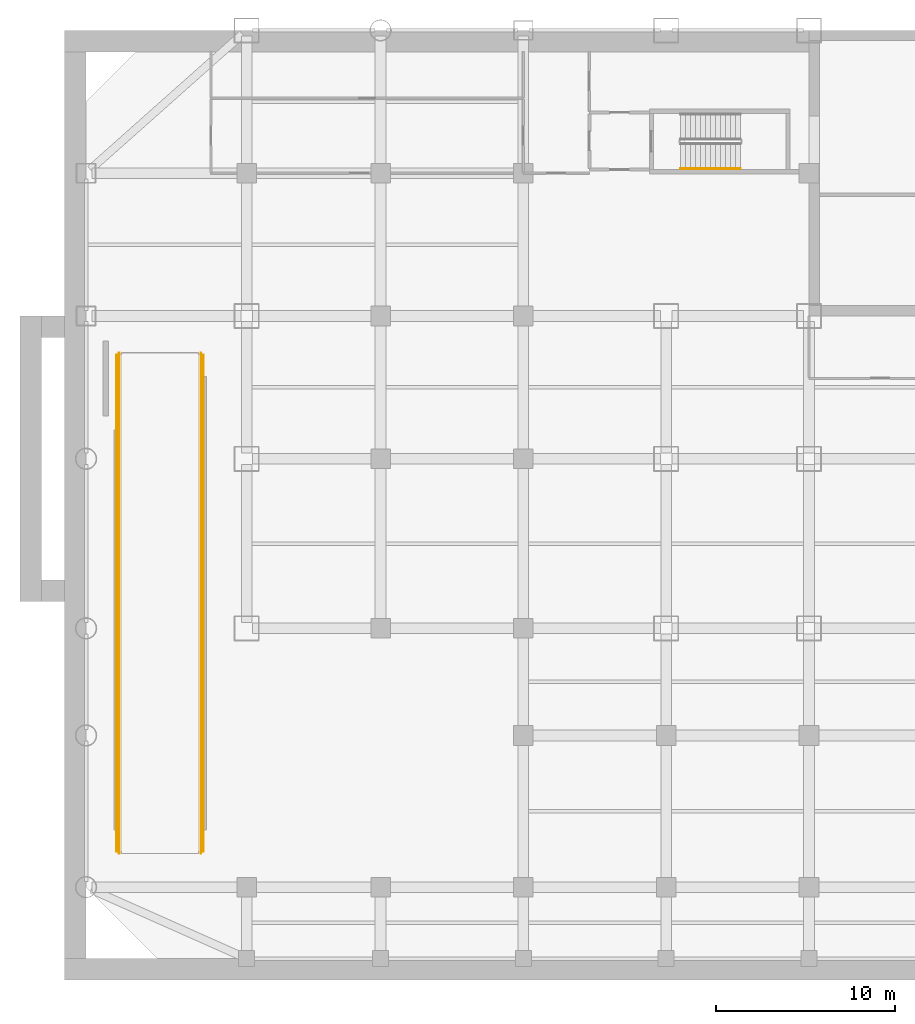
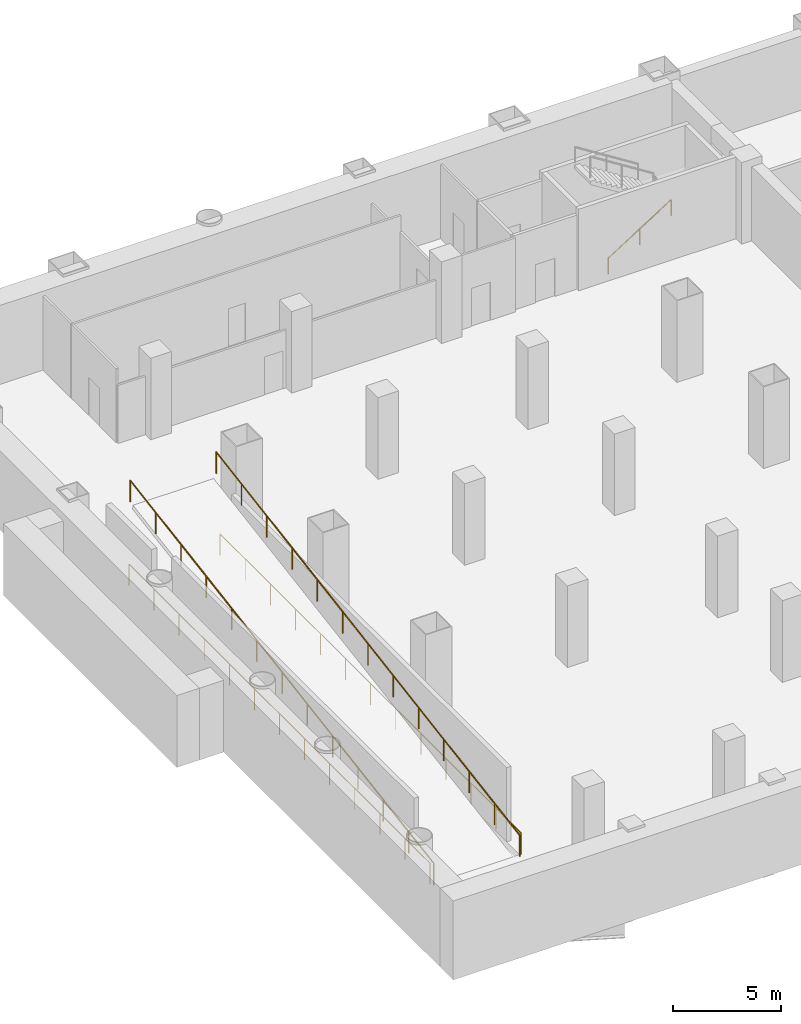
# One storey, part 6 of 8: 5 railings.
"""IFC4 building model written with IfcOpenShell, lengths in metres."""

import ifcopenshell
import ifcopenshell.guid

model = None  # the IFC model being written
_history = None  # IfcOwnerHistory: only IFC2X3 demands one
_inside = {}  # id of a spatial element -> (the spatial element, [elements in it])
_under = {}  # id of a project, library or spatial element -> (it, [spatial elements below it])
_declared = {}  # id of a project -> (the project, [libraries it declares])
_typed = {}  # id of a type object -> (the type object, [elements of that type])
_made_of = {}  # id of a material, layer set ... -> (it, [elements and type objects made of it])


def new_model(schema):
    """Start an empty IFC model of exactly this schema.

    Asked for "IFC4X3", IfcOpenShell would pick the latest addendum, in which some entities
    have other attributes; the version numbers below select the first issue.
    IFC2X3 requires an IfcOwnerHistory on every rooted entity: one is made here for all.
    """
    global model, _history
    if schema == "IFC4X3":
        model = ifcopenshell.file(schema_version=(4, 3, 0, 0))
    else:
        model = ifcopenshell.file(schema=schema)
    _inside.clear()
    _under.clear()
    _declared.clear()
    _typed.clear()
    _made_of.clear()
    _history = None
    if model.schema == "IFC2X3":
        org = make("IfcOrganization", Name="unknown")
        user = make(
            "IfcPersonAndOrganization",
            ThePerson=make("IfcPerson", FamilyName="unknown"),
            TheOrganization=org,
        )
        app = make(
            "IfcApplication",
            ApplicationDeveloper=org,
            Version="unknown",
            ApplicationFullName="unknown",
            ApplicationIdentifier="unknown",
        )
        _history = make(
            "IfcOwnerHistory",
            OwningUser=user,
            OwningApplication=app,
            ChangeAction="ADDED",
            CreationDate=0,
        )
    return model


def make(cls, **values):
    """One entity of the class cls with the attributes given. An attribute that is None is left unset."""
    return model.create_entity(
        cls, **{name: value for name, value in values.items() if value is not None}
    )


def rooted(cls, **values):
    """An entity with a GlobalId (a new one), such as an element, a storey or a relation."""
    return make(cls, GlobalId=ifcopenshell.guid.new(), OwnerHistory=_history, **values)


def si_unit(unit_type, name, prefix=None):
    """IfcSIUnit, for example si_unit("LENGTHUNIT", "METRE", prefix="MILLI")."""
    return make("IfcSIUnit", UnitType=unit_type, Prefix=prefix, Name=name)


def assignment(units):
    """IfcUnitAssignment: the units of a project."""
    return None if units is None else make("IfcUnitAssignment", Units=units)


def point(xyz):
    """IfcCartesianPoint."""
    return None if xyz is None else make("IfcCartesianPoint", Coordinates=xyz)


def direction(xyz):
    """IfcDirection."""
    return None if xyz is None else make("IfcDirection", DirectionRatios=xyz)


def frame(location, z_axis=None, x_axis=None):
    """IfcAxis2Placement3D, a coordinate frame: its origin and axes. An axis left out is left unset."""
    return make(
        "IfcAxis2Placement3D",
        Location=point(location),
        Axis=direction(z_axis),
        RefDirection=direction(x_axis),
    )


def frame_2d(location, x_axis=None):
    """IfcAxis2Placement2D, a coordinate frame in the plane: its origin and x axis."""
    return make(
        "IfcAxis2Placement2D", Location=point(location), RefDirection=direction(x_axis)
    )


def origin():
    """The frame at (0, 0, 0) with its axes left unset."""
    return frame((0.0, 0.0, 0.0))


def origin_2d():
    """The frame at (0, 0) in the plane with its x axis left unset."""
    return frame_2d((0.0, 0.0))


def place(relative_to, where):
    """IfcLocalPlacement: puts the frame where relative to a parent placement (None: the world)."""
    return make(
        "IfcLocalPlacement", PlacementRelTo=relative_to, RelativePlacement=where
    )


def context(
    kind, dimensions, precision=None, world=None, true_north=None, identifier=None
):
    """IfcGeometricRepresentationContext, for example the 3D "Model" context."""
    return make(
        "IfcGeometricRepresentationContext",
        ContextIdentifier=identifier,
        ContextType=kind,
        CoordinateSpaceDimension=dimensions,
        Precision=precision,
        WorldCoordinateSystem=world,
        TrueNorth=true_north,
    )


def subcontext(parent, identifier, kind, view, scale=None):
    """IfcGeometricRepresentationSubContext, for example "Body" below "Model"."""
    return make(
        "IfcGeometricRepresentationSubContext",
        ContextIdentifier=identifier,
        ContextType=kind,
        ParentContext=parent,
        TargetScale=scale,
        TargetView=view,
    )


def project(units=None, contexts=None):
    """IfcProject with its units and contexts."""
    return rooted(
        "IfcProject",
        Name="project",
        RepresentationContexts=contexts,
        UnitsInContext=assignment(units),
    )


def spatial(cls, under=None, at=None, **own):
    """A site, building, storey or space (cls), placed at a placement, below another one or the project."""
    s = rooted(cls, ObjectPlacement=at, **own)
    if under is not None:
        _under.setdefault(under.id(), (under, []))[1].append(s)
    return s


def profile(cls, at=None, kind="AREA", **sizes):
    """A parametric profile (cls). Its sizes go by their IFC names, for example OverallWidth=200.0."""
    return make(cls, ProfileType=kind, Position=at, **sizes)


def circle(**sizes):
    """IfcCircleProfileDef."""
    return profile("IfcCircleProfileDef", **sizes)


def extrude(swept, where, along, depth):
    """IfcExtrudedAreaSolid: the profile swept, set in the frame where, extruded along a direction by depth."""
    return make(
        "IfcExtrudedAreaSolid",
        SweptArea=swept,
        Position=where,
        ExtrudedDirection=direction(along),
        Depth=depth,
    )


def shape(context_of_items, identifier, shape_type, items):
    """IfcShapeRepresentation: the items that make up one representation, for example the "Body"."""
    return make(
        "IfcShapeRepresentation",
        ContextOfItems=context_of_items,
        RepresentationIdentifier=identifier,
        RepresentationType=shape_type,
        Items=items,
    )


def material(Name=None, Category=None):
    """IfcMaterial."""
    return make("IfcMaterial", Name=Name, Category=Category)


def made_of(thing, what):
    """Note that an element or type object is made of a material, layer set ...; save() writes the relation."""
    if what is not None:
        _made_of.setdefault(what.id(), (what, []))[1].append(thing)
    return thing


def type_object(cls, material=None, **own):
    """A type object (cls), such as IfcWallType, which elements share."""
    return made_of(rooted(cls, **own), material)


def element(
    cls,
    number,
    at=None,
    inside=None,
    cuts=None,
    type_object=None,
    material=None,
    context=None,
    identifier="Body",
    shape_type=None,
    held_by="IfcProductDefinitionShape",
    body=None,
    shapes=None,
    **own,
):
    """One element of the class cls, such as IfcWall. Its Tag is "e" and its number.

    at: its placement. inside: the storey or other place that contains it. cuts: it is an
    opening in that element (IfcRelVoidsElement). A single representation is given by context,
    identifier, shape_type and body (its items); several are given by shapes. held_by: the class
    of the entity that holds the representations. save() writes the other relations.
    """
    e = rooted(cls, Tag="e%d" % number, ObjectPlacement=at, **own)
    if body is not None:
        shapes = [shape(context, identifier, shape_type, body)]
    if shapes is not None:
        e.Representation = make(held_by, Representations=shapes)
    if inside is not None:
        _inside.setdefault(inside.id(), (inside, []))[1].append(e)
    if cuts is not None:
        rooted(
            "IfcRelVoidsElement", RelatingBuildingElement=cuts, RelatedOpeningElement=e
        )
    if type_object is not None:
        _typed.setdefault(type_object.id(), (type_object, []))[1].append(e)
    return made_of(e, material)


def aggregate(whole, parts):
    """IfcRelAggregates: a whole, such as a stair, and the parts it consists of."""
    return rooted("IfcRelAggregates", RelatingObject=whole, RelatedObjects=parts)


def save(model, path):
    """Write the relations noted so far, then the file.

    IfcRelAggregates (storeys below a building ...), IfcRelContainedInSpatialStructure (elements
    in a storey), IfcRelDefinesByType, IfcRelAssociatesMaterial and IfcRelDeclares: one each for
    every whole, place, type object, material and project.
    """
    for whole, parts in _under.values():
        aggregate(whole, parts)
    for where, things in _inside.values():
        rooted(
            "IfcRelContainedInSpatialStructure",
            RelatedElements=things,
            RelatingStructure=where,
        )
    for kind, things in _typed.values():
        rooted("IfcRelDefinesByType", RelatedObjects=things, RelatingType=kind)
    for what, things in _made_of.values():
        rooted("IfcRelAssociatesMaterial", RelatedObjects=things, RelatingMaterial=what)
    for by, libraries in _declared.values():
        rooted("IfcRelDeclares", RelatingContext=by, RelatedDefinitions=libraries)
    model.write(path)


model = new_model("IFC4")

# Units and contexts
model_context = context("Model", 3, precision=1e-05, world=origin(), true_north=direction((0.0, 1.0)))
body_context = subcontext(model_context, "Body", "Model", "MODEL_VIEW")
ifc_project = project(units=[si_unit("LENGTHUNIT", "METRE"), si_unit("AREAUNIT", "SQUARE_METRE"), si_unit("VOLUMEUNIT", "CUBIC_METRE"), si_unit("PLANEANGLEUNIT", "RADIAN"), si_unit("MASSUNIT", "GRAM", prefix="KILO")], contexts=[model_context])

# Site, building, storey
site_placement = place(None, origin())
site = spatial("IfcSite", under=ifc_project, at=site_placement, CompositionType="ELEMENT")
building_placement = place(site_placement, origin())
building = spatial("IfcBuilding", under=site, at=building_placement, Name="Qianrong Seaharbour Tower", CompositionType="ELEMENT")
storey_placement = place(building_placement, frame((0.0, 0.0, -4.60009765625)))
storey = spatial("IfcBuildingStorey", under=building, at=storey_placement, Name="B01", CompositionType="ELEMENT", Elevation=-4.60009765625)

# Railings
ifc_material_1 = material(Name="Galvanized painted steel SN400B stair guard", Category="steel")
railing_type_1 = type_object("IfcRailingType", Name="RAIL-STAIR-GUARD-1220", PredefinedType="GUARDRAIL", material=ifc_material_1)
for number, where, name in (
    (1, (6.580078125, 6.0, 0.0), "B01 Car Park Ramp Well East Safety Guard"),
    (2, (1.719970703125, 6.0, 0.0), "B01 Car Park Ramp Well West Safety Guard"),
):
    element("IfcRailing", number, at=place(storey_placement, frame(where)), inside=storey, type_object=railing_type_1, Name=name, PredefinedType="GUARDRAIL", context=body_context, shape_type="SweptSolid", body=[
        extrude(circle(Radius=0.02392578125, at=origin_2d()), frame((0.0, 0.0, 1.19580078125), z_axis=(0.0, 1.0, 0.0), x_axis=(-1.0, 0.0, 0.0)), (0.0, 0.0, 1.0), 27.800048828125),
        extrude(circle(Radius=0.02099609375, at=origin_2d()), origin(), (0.0, 0.0, 1.0), 1.171875),
        extrude(circle(Radius=0.02099609375, at=origin_2d()), frame((0.0, 2.316650390625, 0.0)), (0.0, 0.0, 1.0), 1.171875),
        extrude(circle(Radius=0.02099609375, at=origin_2d()), frame((0.0, 4.63330078125, 0.0)), (0.0, 0.0, 1.0), 1.171875),
        extrude(circle(Radius=0.02099609375, at=origin_2d()), frame((0.0, 6.949951171875, 0.0)), (0.0, 0.0, 1.0), 1.171875),
        extrude(circle(Radius=0.02099609375, at=origin_2d()), frame((0.0, 9.2666015625, 0.0)), (0.0, 0.0, 1.0), 1.171875),
        extrude(circle(Radius=0.02099609375, at=origin_2d()), frame((0.0, 11.583251953125, 0.0)), (0.0, 0.0, 1.0), 1.171875),
        extrude(circle(Radius=0.02099609375, at=origin_2d()), frame((0.0, 13.89990234375, 0.0)), (0.0, 0.0, 1.0), 1.171875),
        extrude(circle(Radius=0.02099609375, at=origin_2d()), frame((0.0, 16.216796875, 0.0)), (0.0, 0.0, 1.0), 1.171875),
        extrude(circle(Radius=0.02099609375, at=origin_2d()), frame((0.0, 18.533447265625, 0.0)), (0.0, 0.0, 1.0), 1.171875),
        extrude(circle(Radius=0.02099609375, at=origin_2d()), frame((0.0, 20.85009765625, 0.0)), (0.0, 0.0, 1.0), 1.171875),
        extrude(circle(Radius=0.02099609375, at=origin_2d()), frame((0.0, 23.166748046875, 0.0)), (0.0, 0.0, 1.0), 1.171875),
        extrude(circle(Radius=0.02099609375, at=origin_2d()), frame((0.0, 25.4833984375, 0.0)), (0.0, 0.0, 1.0), 1.171875),
        extrude(circle(Radius=0.02099609375, at=origin_2d()), frame((0.0, 27.800048828125, 0.0)), (0.0, 0.0, 1.0), 1.171875),
    ])
railing_1_placement = place(storey_placement, frame((1.860107421875, 5.8798828125, 0.0)))
element("IfcRailing", 3, at=railing_1_placement, inside=storey, type_object=railing_type_1, Name="B01 Vehicular Ramp Slab Side Safety Guard W", PredefinedType="GUARDRAIL", context=body_context, shape_type="SweptSolid", body=[
    extrude(circle(Radius=0.02392578125, at=origin_2d()), frame((0.0, 0.0, 1.19580078125), z_axis=(0.0, 0.98680872491, 0.161890519928), x_axis=(-1.0, 0.0, 0.0)), (0.0, 0.0, 1.0), 28.414794921875),
    extrude(circle(Radius=0.02099609375, at=origin_2d()), origin(), (0.0, 0.0, 1.0), 1.171875),
    extrude(circle(Radius=0.02099609375, at=origin_2d()), frame((0.0, 2.336669921875, 0.38330078125)), (0.0, 0.0, 1.0), 1.171875),
    extrude(circle(Radius=0.02099609375, at=origin_2d()), frame((0.0, 4.67333984375, 0.7666015625)), (0.0, 0.0, 1.0), 1.171875),
    extrude(circle(Radius=0.02099609375, at=origin_2d()), frame((0.0, 7.010009765625, 1.14990234375)), (0.0, 0.0, 1.0), 1.171875),
    extrude(circle(Radius=0.02099609375, at=origin_2d()), frame((0.0, 9.3466796875, 1.533447265625)), (0.0, 0.0, 1.0), 1.171875),
    extrude(circle(Radius=0.02099609375, at=origin_2d()), frame((0.0, 11.683349609375, 1.916748046875)), (0.0, 0.0, 1.0), 1.171875),
    extrude(circle(Radius=0.02099609375, at=origin_2d()), frame((0.0, 14.02001953125, 2.300048828125)), (0.0, 0.0, 1.0), 1.171875),
    extrude(circle(Radius=0.02099609375, at=origin_2d()), frame((0.0, 16.356689453125, 2.683349609375)), (0.0, 0.0, 1.0), 1.171875),
    extrude(circle(Radius=0.02099609375, at=origin_2d()), frame((0.0, 18.693359375, 3.066650390625)), (0.0, 0.0, 1.0), 1.171875),
    extrude(circle(Radius=0.02099609375, at=origin_2d()), frame((0.0, 21.030029296875, 3.4501953125)), (0.0, 0.0, 1.0), 1.171875),
    extrude(circle(Radius=0.02099609375, at=origin_2d()), frame((0.0, 23.36669921875, 3.83349609375)), (0.0, 0.0, 1.0), 1.171875),
    extrude(circle(Radius=0.02099609375, at=origin_2d()), frame((0.0, 25.703369140625, 4.216796875)), (0.0, 0.0, 1.0), 1.171875),
    extrude(circle(Radius=0.02099609375, at=origin_2d()), frame((0.0, 28.0400390625, 4.60009765625)), (0.0, 0.0, 1.0), 1.171875),
])
railing_2_placement = place(storey_placement, frame((6.43994140625, 5.8798828125, 0.0)))
element("IfcRailing", 4, at=railing_2_placement, inside=storey, type_object=railing_type_1, Name="B01 Vehicular Ramp Slab Side Safety Guard E", PredefinedType="GUARDRAIL", context=body_context, shape_type="SweptSolid", body=[
    extrude(circle(Radius=0.02392578125, at=origin_2d()), frame((0.0, 0.0, 1.19580078125), z_axis=(0.0, 0.98680872491, 0.161890519928), x_axis=(-1.0, 0.0, 0.0)), (0.0, 0.0, 1.0), 28.414794921875),
    extrude(circle(Radius=0.02099609375, at=origin_2d()), origin(), (0.0, 0.0, 1.0), 1.171875),
    extrude(circle(Radius=0.02099609375, at=origin_2d()), frame((0.0, 2.336669921875, 0.38330078125)), (0.0, 0.0, 1.0), 1.171875),
    extrude(circle(Radius=0.02099609375, at=origin_2d()), frame((0.0, 4.67333984375, 0.7666015625)), (0.0, 0.0, 1.0), 1.171875),
    extrude(circle(Radius=0.02099609375, at=origin_2d()), frame((0.0, 7.010009765625, 1.14990234375)), (0.0, 0.0, 1.0), 1.171875),
    extrude(circle(Radius=0.02099609375, at=origin_2d()), frame((0.0, 9.3466796875, 1.533447265625)), (0.0, 0.0, 1.0), 1.171875),
    extrude(circle(Radius=0.02099609375, at=origin_2d()), frame((0.0, 11.683349609375, 1.916748046875)), (0.0, 0.0, 1.0), 1.171875),
    extrude(circle(Radius=0.02099609375, at=origin_2d()), frame((0.0, 14.02001953125, 2.300048828125)), (0.0, 0.0, 1.0), 1.171875),
    extrude(circle(Radius=0.02099609375, at=origin_2d()), frame((0.0, 16.356689453125, 2.683349609375)), (0.0, 0.0, 1.0), 1.171875),
    extrude(circle(Radius=0.02099609375, at=origin_2d()), frame((0.0, 18.693359375, 3.066650390625)), (0.0, 0.0, 1.0), 1.171875),
    extrude(circle(Radius=0.02099609375, at=origin_2d()), frame((0.0, 21.030029296875, 3.4501953125)), (0.0, 0.0, 1.0), 1.171875),
    extrude(circle(Radius=0.02099609375, at=origin_2d()), frame((0.0, 23.36669921875, 3.83349609375)), (0.0, 0.0, 1.0), 1.171875),
    extrude(circle(Radius=0.02099609375, at=origin_2d()), frame((0.0, 25.703369140625, 4.216796875)), (0.0, 0.0, 1.0), 1.171875),
    extrude(circle(Radius=0.02099609375, at=origin_2d()), frame((0.0, 28.0400390625, 4.60009765625)), (0.0, 0.0, 1.0), 1.171875),
])
ifc_material_2 = material(Name="Stainless steel SUS316L continuous handrail", Category="steel")
railing_type_2 = type_object("IfcRailingType", Name="RAIL-STAIR-HANDRAIL-900", PredefinedType="HANDRAIL", material=ifc_material_2)
railing_3_placement = place(storey_placement, frame((33.300048828125, 44.25, 0.177001953125)))
element("IfcRailing", 5, at=railing_3_placement, inside=storey, type_object=railing_type_2, Name="B01 BST-1 stair handrail 1", PredefinedType="HANDRAIL", context=body_context, shape_type="SweptSolid", body=[
    extrude(circle(Radius=0.02392578125, at=origin_2d()), frame((0.0, 0.0, 0.8759765625), z_axis=(0.845372108799, 0.0, 0.534177870812), x_axis=(0.0, 1.0, 0.0)), (0.0, 0.0, 1.0), 3.974365234375),
    extrude(circle(Radius=0.02099609375, at=origin_2d()), origin(), (0.0, 0.0, 1.0), 0.851806640625),
    extrude(circle(Radius=0.02099609375, at=origin_2d()), frame((1.679931640625, 0.0, 1.0615234375)), (0.0, 0.0, 1.0), 0.851806640625),
    extrude(circle(Radius=0.02099609375, at=origin_2d()), frame((3.35986328125, 0.0, 2.123046875)), (0.0, 0.0, 1.0), 0.851806640625),
])

save(model, "model.ifc")
